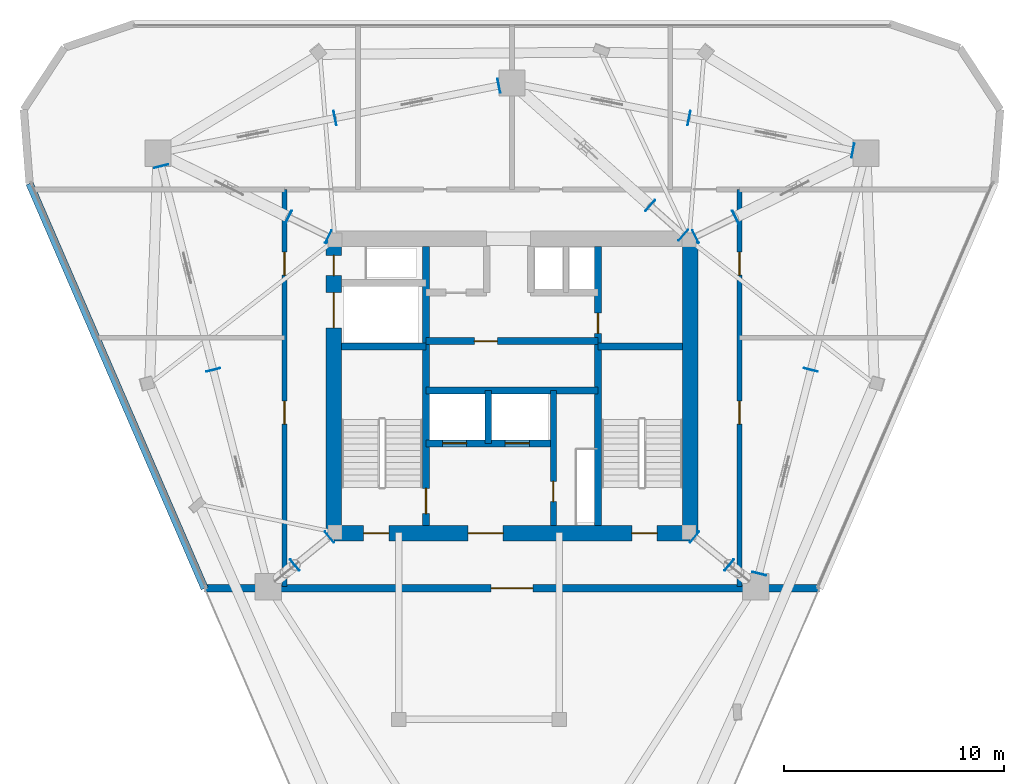
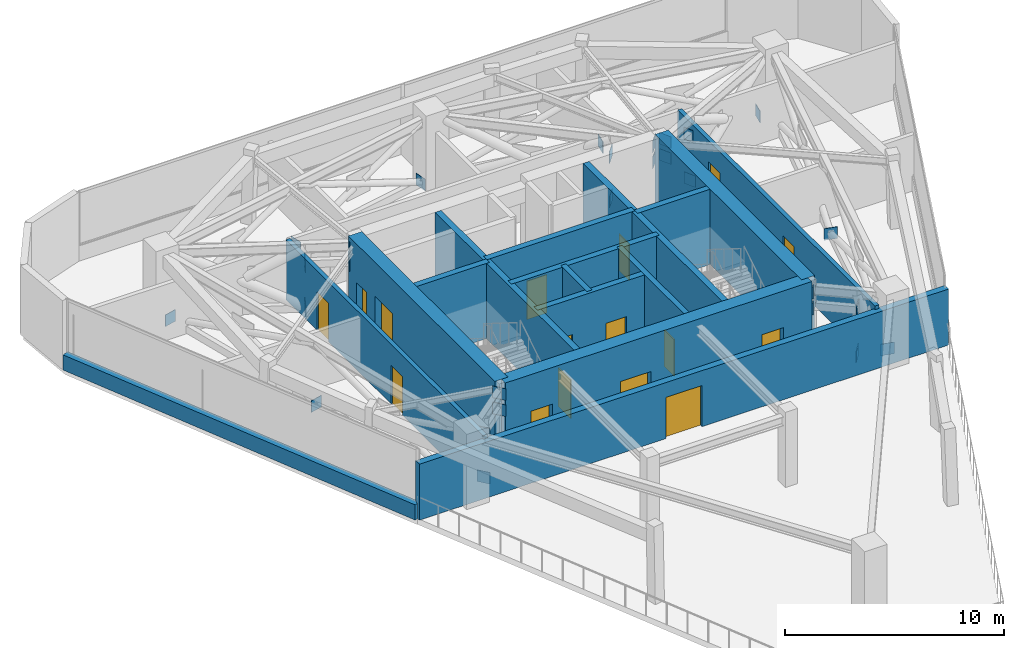
# One storey, part 7 of 10: 28 plates, 16 doors, 16 walls, 16 openings.
"""IFC4 building model written with IfcOpenShell, lengths in metres."""

from ifc_helpers import new_model, si_unit, direction, frame, frame_2d, origin, origin_2d, place, context, subcontext, project, spatial, rectangle, extrude, material, layer, layer_set, type_object, element, fill, save


model = new_model("IFC4")

# Units and contexts
model_context = context("Model", 3, precision=1e-05, world=origin(), true_north=direction((0.0, 1.0)))
body_context = subcontext(model_context, "Body", "Model", "MODEL_VIEW")
ifc_project = project(units=[si_unit("LENGTHUNIT", "METRE"), si_unit("AREAUNIT", "SQUARE_METRE"), si_unit("VOLUMEUNIT", "CUBIC_METRE"), si_unit("PLANEANGLEUNIT", "RADIAN"), si_unit("MASSUNIT", "GRAM", prefix="KILO")], contexts=[model_context])

# Site, building, storey
site_placement = place(None, origin())
site = spatial("IfcSite", under=ifc_project, at=site_placement, CompositionType="ELEMENT")
building_placement = place(site_placement, origin())
building = spatial("IfcBuilding", under=site, at=building_placement, Name="Talyreon Biosciences Tower", CompositionType="ELEMENT")
storey_placement = place(building_placement, frame((0.0, 0.0, 275.39990234375)))
storey = spatial("IfcBuildingStorey", under=building, at=storey_placement, Name="L73", CompositionType="ELEMENT", Elevation=275.39990234375)

# Plates
ifc_material_1 = material(Name="Steel SM355", Category="steel")
ifc_layer_1 = layer(ifc_material_1, 0.028076171875)
ifc_layer_set_1 = layer_set([ifc_layer_1], Name="Steel SM355")
plate_type = type_object("IfcPlateType", Name="HollowEndCapPlate_28", PredefinedType="SHEET", material=ifc_layer_set_1)
for number, where, z_axis, x_axis, name in (
    (1, (74.309814453125, 61.138671875, 3.275146484375), (0.0, 0.0, 1.0), (0.631000821652, 0.775782162127, 0.0), "Truss node plate NP-L73-OC-2"),
    (2, (74.309814453125, 61.138671875, 2.375244140625), (0.0, 0.0, 1.0), (0.631000821652, 0.775782162127, 0.0), "Truss node plate NP-L73-OCM0-2"),
    (3, (75.884033203125, 59.8583984375, 2.375244140625), (0.0, 0.0, 1.0), (0.631000821652, 0.775782162127, 0.0), "Truss node plate NP-L73-OCM1-2"),
    (4, (75.873046875, 59.8671875, -0.0849609375), (0.0, 0.0, 1.0), (0.630987281602, 0.775793175051, 0.0), "Truss node plate NP-OUT-L73-R2-E"),
    (5, (74.350830078125, 74.797607421875, 3.275146484375), (0.0, 0.0, 1.0), (-0.440283955252, 0.89785858505, 0.0), "Truss node plate NP-L73-OC-3"),
    (6, (74.350830078125, 74.797607421875, 2.375244140625), (0.0, 0.0, 1.0), (-0.440283955252, 0.89785858505, 0.0), "Truss node plate NP-L73-OCM0-3"),
    (7, (76.172607421875, 75.69091796875, 2.375244140625), (0.0, 0.0, 1.0), (-0.440283955252, 0.89785858505, 0.0), "Truss node plate NP-L73-OCM1-3"),
    (8, (76.159912109375, 75.684814453125, -0.0849609375), (0.0, 0.0, 1.0), (-0.440283955252, 0.89785858505, 0.0), "Truss node plate NP-OUT-L73-R3-E"),
    (9, (73.79931640625, 74.872314453125, 3.275146484375), (0.0, 0.0, 1.0), (-0.663495401773, -0.748180360492, 0.0), "Truss node plate NP-L73-OC-4"),
    (10, (73.79931640625, 74.872314453125, 2.375244140625), (0.0, 0.0, 1.0), (-0.663495401773, -0.748180360492, 0.0), "Truss node plate NP-L73-OCM0-4"),
    (11, (72.28125, 76.218505859375, 2.375244140625), (0.0, 0.0, 1.0), (-0.663495401773, -0.748180360492, 0.0), "Truss node plate NP-L73-OCM1-4"),
    (12, (72.291748046875, 76.209228515625, -0.0849609375), (0.0, 0.0, 1.0), (-0.663508459883, -0.748168780198, 0.0), "Truss node plate NP-OUT-L73-R4-E"),
    (13, (57.649169921875, 74.797607421875, 3.275146484375), (0.0, 0.0, 1.0), (-0.440283955252, -0.89785858505, 0.0), "Truss node plate NP-L73-OC-5"),
    (14, (57.649169921875, 74.797607421875, 2.375244140625), (0.0, 0.0, 1.0), (-0.440283955252, -0.89785858505, 0.0), "Truss node plate NP-L73-OCM0-5"),
    (15, (55.827392578125, 75.69091796875, 2.375244140625), (0.0, 0.0, 1.0), (-0.440283955252, -0.89785858505, 0.0), "Truss node plate NP-L73-OCM1-5"),
    (16, (55.840087890625, 75.684814453125, -0.0849609375), (0.0, 0.0, 1.0), (-0.440283955252, -0.89785858505, 0.0), "Truss node plate NP-OUT-L73-R5-E"),
    (17, (57.690185546875, 61.138671875, 3.275146484375), (0.0, 0.0, 1.0), (0.631000821652, -0.775782162127, 0.0), "Truss node plate NP-L73-OC-6"),
    (18, (57.690185546875, 61.138671875, 2.375244140625), (0.0, 0.0, 1.0), (0.631000821652, -0.775782162127, 0.0), "Truss node plate NP-L73-OCM0-6"),
    (19, (56.115966796875, 59.8583984375, 2.375244140625), (0.0, 0.0, 1.0), (0.631000821652, -0.775782162127, 0.0), "Truss node plate NP-L73-OCM1-6"),
    (20, (56.126953125, 59.8671875, -0.0849609375), (0.0, 0.0, 1.0), (0.630987281602, -0.775793175051, 0.0), "Truss node plate NP-OUT-L73-R6-E"),
    (21, (77.236572265625, 59.4716796875, -0.0849609375), (0.0, 0.0, 1.0), (-0.969132019352, 0.246542347409, 0.0), "Truss node plate NP-BELT-L73-B2S1-E"),
    (22, (79.59423828125, 68.739501953125, -0.0849609375), (0.0, 0.0, 1.0), (-0.969132019352, 0.246542347409, 0.0), "Truss node plate NP-BELT-L73-B2S2-E"),
    (23, (81.50390625, 78.71728515625, -0.0849609375), (0.0, 0.0, 1.0), (-0.194354196051, -0.980931417826, 0.0), "Truss node plate NP-BELT-L73-B3S1-E"),
    (24, (74.05126953125, 80.19384765625, -0.0849609375), (0.0, 0.0, 1.0), (-0.194354196051, -0.980931417826, 0.0), "Truss node plate NP-BELT-L73-B3S2-E"),
    (25, (65.401611328125, 81.67041015625, -0.0849609375), (0.0, 0.0, 1.0), (0.194354196051, -0.980931417826, 0.0), "Truss node plate NP-BELT-L73-B4S1-E"),
    (26, (57.94873046875, 80.19384765625, -0.0849609375), (0.0, 0.0, 1.0), (0.194354196051, -0.980931417826, 0.0), "Truss node plate NP-BELT-L73-B4S2-E"),
    (27, (50.048095703125, 78.007568359375, -0.0849609375), (0.0, 0.0, 1.0), (0.969132019352, 0.246542347409, 0.0), "Truss node plate NP-BELT-L73-B5S1-E"),
    (28, (52.40576171875, 68.739501953125, -0.0849609375), (0.0, 0.0, 1.0), (0.969132019352, 0.246542347409, 0.0), "Truss node plate NP-BELT-L73-B5S2-E"),
):
    element("IfcPlate", number, at=place(storey_placement, frame(where, z_axis=z_axis, x_axis=x_axis)), inside=storey, type_object=plate_type, Name=name, PredefinedType="SHEET", context=body_context, shape_type="SweptSolid", body=[
        extrude(rectangle(XDim=0.64990234375, YDim=0.028076171875, at=origin_2d()), origin(), (0.0, 0.0, 1.0), 0.64990234375),
    ])

# Wall
ifc_material_2 = material(Name="Concrete C50/60", Category="concrete")
ifc_layer_2 = layer(ifc_material_2, 0.280029296875)
ifc_layer_set_2 = layer_set([ifc_layer_2], Name="Concrete C50/60")
wall_type_1 = type_object("IfcWallType", Name="CoreShearWall_280", PredefinedType="SHEAR", material=ifc_layer_set_2)
wall_1_placement = place(storey_placement, frame((64.919921875, 65.39990234375, 0.0), z_axis=(0.0, 0.0, 1.0), x_axis=(0.0, 1.0, 0.0)))
element("IfcWall", 29, at=wall_1_placement, inside=storey, type_object=wall_type_1, Name="L73 Core Shaft Wall SWSHD1", PredefinedType="SHEAR", context=body_context, shape_type="SweptSolid", body=[
    extrude(rectangle(XDim=2.400146484375, YDim=0.280029296875, at=frame_2d((1.2001953125, 0.0))), origin(), (0.0, 0.0, 1.0), 4.2001953125),
])

# Wall, opening, door
wall_2_placement = place(storey_placement, frame((67.8798828125, 61.64990234375, 0.0), z_axis=(0.0, 0.0, 1.0), x_axis=(0.0, 1.0, 0.0)))
wall_2 = element("IfcWall", 30, at=wall_2_placement, inside=storey, type_object=wall_type_1, Name="L73 Core Shaft Wall SWFFE", PredefinedType="SHEAR", context=body_context, shape_type="SweptSolid", body=[
    extrude(rectangle(XDim=6.150146484375, YDim=0.280029296875, at=frame_2d((3.0751953125, 0.0))), origin(), (0.0, 0.0, 1.0), 4.2001953125),
])
opening_1_placement = place(wall_2_placement, frame((1.10009765625, 0.0, 0.0)))
opening_1 = element("IfcOpeningElement", 31, at=opening_1_placement, cuts=wall_2, Name="Opening DR-L73-RSE", PredefinedType="OPENING", context=body_context, shape_type="SweptSolid", body=[
    extrude(rectangle(XDim=0.919921875, YDim=2.050048828125, at=frame_2d((0.4599609375, 1.02490234375))), frame((0.0, 0.14990234375, 0.0), z_axis=(0.0, -1.0, 0.0), x_axis=(1.0, 0.0, 0.0)), (0.0, 0.0, 1.0), 0.300048828125),
])
ifc_material_3 = material(Name="Painted steel fire-rated riser door", Category="steel")
door_type_1 = type_object("IfcDoorType", Name="RiserPlantAccessDoor_920x2050", OperationType="NOTDEFINED", PredefinedType="DOOR", material=ifc_material_3)
door_1_placement = place(opening_1_placement, origin())
door_1 = element("IfcDoor", 32, at=door_1_placement, inside=storey, type_object=door_type_1, Name="L73 Core Door DR-L73-RSE", OperationType="SINGLE_SWING_RIGHT", OverallHeight=2.050048828125, OverallWidth=0.919921875, PredefinedType="DOOR", context=body_context, shape_type="SweptSolid", body=[
    extrude(rectangle(XDim=0.919921875, YDim=2.050048828125, at=frame_2d((0.4599609375, 1.02490234375))), frame((0.0, 0.02490234375, 0.0), z_axis=(0.0, -1.0, 0.0), x_axis=(1.0, 0.0, 0.0)), (0.0, 0.0, 1.0), 0.050048828125),
])
fill(opening_1, door_1)

ifc_layer_3 = layer(ifc_material_2, 0.320068359375)
ifc_layer_set_3 = layer_set([ifc_layer_3], Name="Concrete C50/60")
wall_type_2 = type_object("IfcWallType", Name="CoreShearWall_320", PredefinedType="SHEAR", material=ifc_layer_set_3)
wall_3_placement = place(storey_placement, frame((62.090087890625, 61.64990234375, 0.0), z_axis=(0.0, 0.0, 1.0), x_axis=(0.0, 1.0, 0.0)))
wall_3 = element("IfcWall", 33, at=wall_3_placement, inside=storey, type_object=wall_type_2, Name="L73 Core Shaft Wall SW1E", PredefinedType="SHEAR", context=body_context, shape_type="SweptSolid", body=[
    extrude(rectangle(XDim=12.7001953125, YDim=0.320068359375, at=frame_2d((6.35009765625, 0.0))), origin(), (0.0, 0.0, 1.0), 4.2001953125),
])
opening_2_placement = place(wall_3_placement, frame((0.550048828125, 0.0, 0.0)))
opening_2 = element("IfcOpeningElement", 34, at=opening_2_placement, cuts=wall_3, Name="Opening DR-L73-FF-ST1", PredefinedType="OPENING", context=body_context, shape_type="SweptSolid", body=[
    extrude(rectangle(XDim=1.14990234375, YDim=2.14990234375, at=frame_2d((0.574951171875, 1.074951171875))), frame((0.0, 0.169921875, 0.0), z_axis=(0.0, -1.0, 0.0), x_axis=(1.0, 0.0, 0.0)), (0.0, 0.0, 1.0), 0.340087890625),
])
ifc_material_4 = material(Name="Painted steel fire door", Category="steel")
door_type_2 = type_object("IfcDoorType", Name="StairShaftFireDoor_1150x2150", OperationType="NOTDEFINED", PredefinedType="DOOR", material=ifc_material_4)
door_2_placement = place(opening_2_placement, origin())
door_2 = element("IfcDoor", 35, at=door_2_placement, inside=storey, type_object=door_type_2, Name="L73 Core Door DR-L73-FF-ST1", OperationType="SINGLE_SWING_LEFT", OverallHeight=2.14990234375, OverallWidth=1.14990234375, PredefinedType="DOOR", context=body_context, shape_type="SweptSolid", body=[
    extrude(rectangle(XDim=1.14990234375, YDim=2.14990234375, at=frame_2d((0.574951171875, 1.074951171875))), frame((0.0, 0.02490234375, 0.0), z_axis=(0.0, -1.0, 0.0), x_axis=(1.0, 0.0, 0.0)), (0.0, 0.0, 1.0), 0.050048828125),
])
fill(opening_2, door_2)

wall_4_placement = place(storey_placement, frame((69.909912109375, 61.64990234375, 0.0), z_axis=(0.0, 0.0, 1.0), x_axis=(0.0, 1.0, 0.0)))
wall_4 = element("IfcWall", 36, at=wall_4_placement, inside=storey, type_object=wall_type_2, Name="L73 Core Shaft Wall SW2W", PredefinedType="SHEAR", context=body_context, shape_type="SweptSolid", body=[
    extrude(rectangle(XDim=12.7001953125, YDim=0.320068359375, at=frame_2d((6.35009765625, 0.0))), origin(), (0.0, 0.0, 1.0), 4.2001953125),
])
opening_3_placement = place(wall_4_placement, frame((8.75, 0.0, 0.0)))
opening_3 = element("IfcOpeningElement", 37, at=opening_3_placement, cuts=wall_4, Name="Opening DR-L73-CSRV", PredefinedType="OPENING", context=body_context, shape_type="SweptSolid", body=[
    extrude(rectangle(XDim=0.919921875, YDim=2.050048828125, at=frame_2d((0.4599609375, 1.02490234375))), frame((0.0, 0.169921875, 0.0), z_axis=(0.0, -1.0, 0.0), x_axis=(1.0, 0.0, 0.0)), (0.0, 0.0, 1.0), 0.340087890625),
])
door_3_placement = place(opening_3_placement, origin())
door_3 = element("IfcDoor", 38, at=door_3_placement, inside=storey, type_object=door_type_1, Name="L73 Core Door DR-L73-CSRV", OperationType="SINGLE_SWING_RIGHT", OverallHeight=2.050048828125, OverallWidth=0.919921875, PredefinedType="DOOR", context=body_context, shape_type="SweptSolid", body=[
    extrude(rectangle(XDim=0.919921875, YDim=2.050048828125, at=frame_2d((0.4599609375, 1.02490234375))), frame((0.0, 0.02490234375, 0.0), z_axis=(0.0, -1.0, 0.0), x_axis=(1.0, 0.0, 0.0)), (0.0, 0.0, 1.0), 0.050048828125),
])
fill(opening_3, door_3)

# Walls
for number, where, z_axis, x_axis, name in (
    (39, (58.25, 69.81005859375, 0.0), (0.0, 0.0, 1.0), (1.0, 0.0, 0.0), "L73 Core Shaft Wall SW1N"),
    (40, (69.909912109375, 69.81005859375, 0.0), (0.0, 0.0, 1.0), (1.0, 0.0, 0.0), "L73 Core Shaft Wall SW2N"),
):
    element("IfcWall", number, at=place(storey_placement, frame(where, z_axis=z_axis, x_axis=x_axis)), inside=storey, type_object=wall_type_2, Name=name, PredefinedType="SHEAR", context=body_context, shape_type="SweptSolid", body=[
        extrude(rectangle(XDim=3.840087890625, YDim=0.320068359375, at=frame_2d((1.919921875, 0.0))), origin(), (0.0, 0.0, 1.0), 4.2001953125),
    ])
wall_5_placement = place(storey_placement, frame((62.090087890625, 67.800048828125, 0.0), z_axis=(0.0, 0.0, 1.0), x_axis=(1.0, 0.0, 0.0)))
element("IfcWall", 41, at=wall_5_placement, inside=storey, type_object=wall_type_2, Name="L73 Core Shaft Wall SWSHM", PredefinedType="SHEAR", context=body_context, shape_type="SweptSolid", body=[
    extrude(rectangle(XDim=7.81982421875, YDim=0.320068359375, at=frame_2d((3.909912109375, 0.0))), origin(), (0.0, 0.0, 1.0), 4.2001953125),
])

# Wall, opening, door
wall_6_placement = place(storey_placement, frame((62.090087890625, 70.050048828125, 0.0), z_axis=(0.0, 0.0, 1.0), x_axis=(1.0, 0.0, 0.0)))
wall_6 = element("IfcWall", 42, at=wall_6_placement, inside=storey, type_object=wall_type_2, Name="L73 Core Shaft Wall SWSPN", PredefinedType="SHEAR", context=body_context, shape_type="SweptSolid", body=[
    extrude(rectangle(XDim=7.81982421875, YDim=0.320068359375, at=frame_2d((3.909912109375, 0.0))), origin(), (0.0, 0.0, 1.0), 4.2001953125),
])
opening_4_placement = place(wall_6_placement, frame((2.199951171875, 0.0, 0.0)))
opening_4 = element("IfcOpeningElement", 43, at=opening_4_placement, cuts=wall_6, Name="Opening DR-L73-PLPMFREE", PredefinedType="OPENING", context=body_context, shape_type="SweptSolid", body=[
    extrude(rectangle(XDim=1.050048828125, YDim=2.14990234375, at=frame_2d((0.52490234375, 1.074951171875))), frame((0.0, 0.169921875, 0.0), z_axis=(0.0, -1.0, 0.0), x_axis=(1.0, 0.0, 0.0)), (0.0, 0.0, 1.0), 0.340087890625),
])
ifc_material_5 = material(Name="Acoustic timber-core laboratory door", Category="wood")
door_type_3 = type_object("IfcDoorType", Name="DryLabSingleDoor_1050x2150", OperationType="NOTDEFINED", PredefinedType="DOOR", material=ifc_material_5)
door_4_placement = place(opening_4_placement, origin())
door_4 = element("IfcDoor", 44, at=door_4_placement, inside=storey, type_object=door_type_3, Name="L73 Core Door DR-L73-PLPMFREE", OperationType="SINGLE_SWING_LEFT", OverallHeight=2.14990234375, OverallWidth=1.050048828125, PredefinedType="DOOR", context=body_context, shape_type="SweptSolid", body=[
    extrude(rectangle(XDim=1.050048828125, YDim=2.14990234375, at=frame_2d((0.52490234375, 1.074951171875))), frame((0.0, 0.02490234375, 0.0), z_axis=(0.0, -1.0, 0.0), x_axis=(1.0, 0.0, 0.0)), (0.0, 0.0, 1.0), 0.050048828125),
])
fill(opening_4, door_4)

# Wall, openings, doors
wall_7_placement = place(storey_placement, frame((62.090087890625, 65.39990234375, 0.0), z_axis=(0.0, 0.0, 1.0), x_axis=(1.0, 0.0, 0.0)))
wall_7 = element("IfcWall", 45, at=wall_7_placement, inside=storey, type_object=wall_type_2, Name="L73 Core Shaft Wall SWFFN", PredefinedType="SHEAR", context=body_context, shape_type="SweptSolid", body=[
    extrude(rectangle(XDim=5.789794921875, YDim=0.320068359375, at=frame_2d((2.89501953125, 0.0))), origin(), (0.0, 0.0, 1.0), 4.2001953125),
])
opening_5_placement = place(wall_7_placement, frame((0.75, 0.0, 0.0)))
opening_5 = element("IfcOpeningElement", 46, at=opening_5_placement, cuts=wall_7, Name="Opening LD-L73-FL1", PredefinedType="OPENING", context=body_context, shape_type="SweptSolid", body=[
    extrude(rectangle(XDim=1.10009765625, YDim=2.199951171875, at=frame_2d((0.550048828125, 1.10009765625))), frame((0.0, 0.169921875, 0.0), z_axis=(0.0, -1.0, 0.0), x_axis=(1.0, 0.0, 0.0)), (0.0, 0.0, 1.0), 0.340087890625),
])
opening_6_placement = place(wall_7_placement, frame((3.60009765625, 0.0, 0.0)))
opening_6 = element("IfcOpeningElement", 47, at=opening_6_placement, cuts=wall_7, Name="Opening LD-L73-FL2", PredefinedType="OPENING", context=body_context, shape_type="SweptSolid", body=[
    extrude(rectangle(XDim=1.10009765625, YDim=2.199951171875, at=frame_2d((0.550048828125, 1.10009765625))), frame((0.0, 0.169921875, 0.0), z_axis=(0.0, -1.0, 0.0), x_axis=(1.0, 0.0, 0.0)), (0.0, 0.0, 1.0), 0.340087890625),
])
ifc_material_6 = material(Name="Brushed stainless-steel lift landing door", Category="steel")
door_type_4 = type_object("IfcDoorType", Name="LiftSlidingLandingDoor_1100x2200", OperationType="SLIDING_TO_LEFT", PredefinedType="DOOR", material=ifc_material_6)
door_5_placement = place(opening_5_placement, origin())
door_5 = element("IfcDoor", 48, at=door_5_placement, inside=storey, type_object=door_type_4, Name="L73 Core Door LD-L73-FL1", OperationType="SLIDING_TO_LEFT", OverallHeight=2.199951171875, OverallWidth=1.10009765625, PredefinedType="DOOR", context=body_context, shape_type="SweptSolid", body=[
    extrude(rectangle(XDim=1.10009765625, YDim=2.199951171875, at=frame_2d((0.550048828125, 1.10009765625))), frame((0.0, 0.02490234375, 0.0), z_axis=(0.0, -1.0, 0.0), x_axis=(1.0, 0.0, 0.0)), (0.0, 0.0, 1.0), 0.050048828125),
])
fill(opening_5, door_5)
door_6_placement = place(opening_6_placement, origin())
door_6 = element("IfcDoor", 49, at=door_6_placement, inside=storey, type_object=door_type_4, Name="L73 Core Door LD-L73-FL2", OperationType="SLIDING_TO_LEFT", OverallHeight=2.199951171875, OverallWidth=1.10009765625, PredefinedType="DOOR", context=body_context, shape_type="SweptSolid", body=[
    extrude(rectangle(XDim=1.10009765625, YDim=2.199951171875, at=frame_2d((0.550048828125, 1.10009765625))), frame((0.0, 0.02490234375, 0.0), z_axis=(0.0, -1.0, 0.0), x_axis=(1.0, 0.0, 0.0)), (0.0, 0.0, 1.0), 0.050048828125),
])
fill(opening_6, door_6)

ifc_layer_4 = layer(ifc_material_2, 0.699951171875)
ifc_layer_set_4 = layer_set([ifc_layer_4], Name="Concrete C50/60")
wall_type_3 = type_object("IfcWallType", Name="CoreShearWall_700", PredefinedType="SHEAR", material=ifc_layer_set_4)
wall_8_placement = place(storey_placement, frame((57.89990234375, 61.300048828125, 0.0), z_axis=(0.0, 0.0, 1.0), x_axis=(1.0, 0.0, 0.0)))
wall_8 = element("IfcWall", 50, at=wall_8_placement, inside=storey, type_object=wall_type_3, Name="L73 Core Shear Wall S", PredefinedType="SHEAR", context=body_context, shape_type="SweptSolid", body=[
    extrude(rectangle(XDim=16.2001953125, YDim=0.699951171875, at=frame_2d((8.10009765625, 0.0))), origin(), (0.0, 0.0, 1.0), 4.2001953125),
])
opening_7_placement = place(wall_8_placement, frame((1.35009765625, 0.0, 0.0)))
opening_7 = element("IfcOpeningElement", 51, at=opening_7_placement, cuts=wall_8, Name="Opening DR-L73-ST1", PredefinedType="OPENING", context=body_context, shape_type="SweptSolid", body=[
    extrude(rectangle(XDim=1.14990234375, YDim=2.14990234375, at=frame_2d((0.574951171875, 1.074951171875))), frame((0.0, 0.35986328125, 0.0), z_axis=(0.0, -1.0, 0.0), x_axis=(1.0, 0.0, 0.0)), (0.0, 0.0, 1.0), 0.719970703125),
])
opening_8_placement = place(wall_8_placement, frame((6.10009765625, 0.0, 0.0)))
opening_8 = element("IfcOpeningElement", 52, at=opening_8_placement, cuts=wall_8, Name="Opening DR-L73-FFL", PredefinedType="OPENING", context=body_context, shape_type="SweptSolid", body=[
    extrude(rectangle(XDim=1.60009765625, YDim=2.14990234375, at=frame_2d((0.800048828125, 1.074951171875))), frame((0.0, 0.35986328125, 0.0), z_axis=(0.0, -1.0, 0.0), x_axis=(1.0, 0.0, 0.0)), (0.0, 0.0, 1.0), 0.719970703125),
])
opening_9_placement = place(wall_8_placement, frame((13.550048828125, 0.0, 0.0)))
opening_9 = element("IfcOpeningElement", 53, at=opening_9_placement, cuts=wall_8, Name="Opening DR-L73-ST2", PredefinedType="OPENING", context=body_context, shape_type="SweptSolid", body=[
    extrude(rectangle(XDim=1.14990234375, YDim=2.14990234375, at=frame_2d((0.574951171875, 1.074951171875))), frame((0.0, 0.35986328125, 0.0), z_axis=(0.0, -1.0, 0.0), x_axis=(1.0, 0.0, 0.0)), (0.0, 0.0, 1.0), 0.719970703125),
])
ifc_material_7 = material(Name="Painted steel smoke-seal fire door", Category="steel")
door_type_5 = type_object("IfcDoorType", Name="FirefightingLobbyDoubleDoor_1600x2150", OperationType="DOUBLE_DOOR_SINGLE_SWING", PredefinedType="DOOR", material=ifc_material_7)
door_7_placement = place(opening_8_placement, origin())
door_7 = element("IfcDoor", 54, at=door_7_placement, inside=storey, type_object=door_type_5, Name="L73 Core Door DR-L73-FFL", OperationType="DOUBLE_DOOR_SINGLE_SWING", OverallHeight=2.14990234375, OverallWidth=1.60009765625, PredefinedType="DOOR", context=body_context, shape_type="SweptSolid", body=[
    extrude(rectangle(XDim=1.60009765625, YDim=2.14990234375, at=frame_2d((0.800048828125, 1.074951171875))), frame((0.0, 0.02490234375, 0.0), z_axis=(0.0, -1.0, 0.0), x_axis=(1.0, 0.0, 0.0)), (0.0, 0.0, 1.0), 0.050048828125),
])
fill(opening_8, door_7)
door_8_placement = place(opening_7_placement, origin())
door_8 = element("IfcDoor", 55, at=door_8_placement, inside=storey, type_object=door_type_2, Name="L73 Core Door DR-L73-ST1", OperationType="SINGLE_SWING_LEFT", OverallHeight=2.14990234375, OverallWidth=1.14990234375, PredefinedType="DOOR", context=body_context, shape_type="SweptSolid", body=[
    extrude(rectangle(XDim=1.14990234375, YDim=2.14990234375, at=frame_2d((0.574951171875, 1.074951171875))), frame((0.0, 0.02490234375, 0.0), z_axis=(0.0, -1.0, 0.0), x_axis=(1.0, 0.0, 0.0)), (0.0, 0.0, 1.0), 0.050048828125),
])
fill(opening_7, door_8)
door_9_placement = place(opening_9_placement, origin())
door_9 = element("IfcDoor", 56, at=door_9_placement, inside=storey, type_object=door_type_2, Name="L73 Core Door DR-L73-ST2", OperationType="SINGLE_SWING_RIGHT", OverallHeight=2.14990234375, OverallWidth=1.14990234375, PredefinedType="DOOR", context=body_context, shape_type="SweptSolid", body=[
    extrude(rectangle(XDim=1.14990234375, YDim=2.14990234375, at=frame_2d((0.574951171875, 1.074951171875))), frame((0.0, 0.02490234375, 0.0), z_axis=(0.0, -1.0, 0.0), x_axis=(1.0, 0.0, 0.0)), (0.0, 0.0, 1.0), 0.050048828125),
])
fill(opening_9, door_9)

# Wall
wall_9_placement = place(storey_placement, frame((74.10009765625, 61.300048828125, 0.0), z_axis=(0.0, 0.0, 1.0), x_axis=(0.0, 1.0, 0.0)))
element("IfcWall", 57, at=wall_9_placement, inside=storey, type_object=wall_type_3, Name="L73 Core Shear Wall E", PredefinedType="SHEAR", context=body_context, shape_type="SweptSolid", body=[
    extrude(rectangle(XDim=13.39990234375, YDim=0.699951171875, at=frame_2d((6.699951171875, 0.0))), origin(), (0.0, 0.0, 1.0), 4.2001953125),
])

# Wall, openings, doors
wall_10_placement = place(storey_placement, frame((57.89990234375, 74.699951171875, 0.0), z_axis=(0.0, 0.0, 1.0), x_axis=(0.0, -1.0, 0.0)))
wall_10 = element("IfcWall", 58, at=wall_10_placement, inside=storey, type_object=wall_type_3, Name="L73 Core Shear Wall W", PredefinedType="SHEAR", context=body_context, shape_type="SweptSolid", body=[
    extrude(rectangle(XDim=13.39990234375, YDim=0.699951171875, at=frame_2d((6.699951171875, 0.0))), origin(), (0.0, 0.0, 1.0), 4.2001953125),
])
opening_10_placement = place(wall_10_placement, frame((0.75, 0.0, 0.0)))
opening_10 = element("IfcOpeningElement", 59, at=opening_10_placement, cuts=wall_10, Name="Opening DR-L73-RSW", PredefinedType="OPENING", context=body_context, shape_type="SweptSolid", body=[
    extrude(rectangle(XDim=0.919921875, YDim=2.050048828125, at=frame_2d((0.4599609375, 1.02490234375))), frame((0.0, 0.35986328125, 0.0), z_axis=(0.0, -1.0, 0.0), x_axis=(1.0, 0.0, 0.0)), (0.0, 0.0, 1.0), 0.719970703125),
])
opening_11_placement = place(wall_10_placement, frame((2.449951171875, 0.0, 0.0)))
opening_11 = element("IfcOpeningElement", 60, at=opening_11_placement, cuts=wall_10, Name="Opening LD-L73-GL1", PredefinedType="OPENING", context=body_context, shape_type="SweptSolid", body=[
    extrude(rectangle(XDim=1.60009765625, YDim=2.300048828125, at=frame_2d((0.800048828125, 1.14990234375))), frame((0.0, 0.35986328125, 0.0), z_axis=(0.0, -1.0, 0.0), x_axis=(1.0, 0.0, 0.0)), (0.0, 0.0, 1.0), 0.719970703125),
])
ifc_material_8 = material(Name="Heavy-duty stainless-steel goods lift door", Category="steel")
door_type_6 = type_object("IfcDoorType", Name="GoodsLiftSlidingDoor_1600x2300", OperationType="DOUBLE_DOOR_SLIDING", PredefinedType="DOOR", material=ifc_material_8)
door_10_placement = place(opening_11_placement, origin())
door_10 = element("IfcDoor", 61, at=door_10_placement, inside=storey, type_object=door_type_6, Name="L73 Core Door LD-L73-GL1", OperationType="DOUBLE_DOOR_SLIDING", OverallHeight=2.300048828125, OverallWidth=1.60009765625, PredefinedType="DOOR", context=body_context, shape_type="SweptSolid", body=[
    extrude(rectangle(XDim=1.60009765625, YDim=2.300048828125, at=frame_2d((0.800048828125, 1.14990234375))), frame((0.0, 0.02490234375, 0.0), z_axis=(0.0, -1.0, 0.0), x_axis=(1.0, 0.0, 0.0)), (0.0, 0.0, 1.0), 0.050048828125),
])
fill(opening_11, door_10)
door_11_placement = place(opening_10_placement, origin())
door_11 = element("IfcDoor", 62, at=door_11_placement, inside=storey, type_object=door_type_1, Name="L73 Core Door DR-L73-RSW", OperationType="SINGLE_SWING_LEFT", OverallHeight=2.050048828125, OverallWidth=0.919921875, PredefinedType="DOOR", context=body_context, shape_type="SweptSolid", body=[
    extrude(rectangle(XDim=0.919921875, YDim=2.050048828125, at=frame_2d((0.4599609375, 1.02490234375))), frame((0.0, 0.02490234375, 0.0), z_axis=(0.0, -1.0, 0.0), x_axis=(1.0, 0.0, 0.0)), (0.0, 0.0, 1.0), 0.050048828125),
])
fill(opening_10, door_11)

ifc_material_9 = material(Name="Gypsum fireboard acoustic stud", Category="gypsum")
ifc_layer_5 = layer(ifc_material_9, 0.219970703125)
ifc_layer_set_5 = layer_set([ifc_layer_5], Name="Gypsum fireboard acoustic stud")
wall_type_4 = type_object("IfcWallType", Name="CorridorRatedPartition_220", PredefinedType="PARTITIONING", material=ifc_layer_set_5)
wall_11_placement = place(storey_placement, frame((76.35009765625, 58.885009765625, 0.0), z_axis=(0.0, 0.0, 1.0), x_axis=(0.0, 1.0, 0.0)))
wall_11 = element("IfcWall", 63, at=wall_11_placement, inside=storey, type_object=wall_type_4, Name="L73 Interior Wall IW-L73-PC-E", PredefinedType="PARTITIONING", context=body_context, shape_type="SweptSolid", body=[
    extrude(rectangle(XDim=18.06494140625, YDim=0.219970703125, at=frame_2d((9.032470703125, 0.0))), origin(), (0.0, 0.0, 1.0), 3.330078125),
])
opening_12_placement = place(wall_11_placement, frame((7.388916015625, 0.0, 0.0)))
opening_12 = element("IfcOpeningElement", 64, at=opening_12_placement, cuts=wall_11, Name="Opening DR-L73-PL-EB", PredefinedType="OPENING", context=body_context, shape_type="SweptSolid", body=[
    extrude(rectangle(XDim=1.050048828125, YDim=2.14990234375, at=frame_2d((0.52490234375, 1.074951171875))), frame((0.0, 0.119873046875, 0.0), z_axis=(0.0, -1.0, 0.0), x_axis=(1.0, 0.0, 0.0)), (0.0, 0.0, 1.0), 0.239990234375),
])
opening_13_placement = place(wall_11_placement, frame((14.1650390625, 0.0, 0.0)))
opening_13 = element("IfcOpeningElement", 65, at=opening_13_placement, cuts=wall_11, Name="Opening DR-L73-PL-EA", PredefinedType="OPENING", context=body_context, shape_type="SweptSolid", body=[
    extrude(rectangle(XDim=1.050048828125, YDim=2.14990234375, at=frame_2d((0.52490234375, 1.074951171875))), frame((0.0, 0.119873046875, 0.0), z_axis=(0.0, -1.0, 0.0), x_axis=(1.0, 0.0, 0.0)), (0.0, 0.0, 1.0), 0.239990234375),
])
door_12_placement = place(opening_12_placement, origin())
door_12 = element("IfcDoor", 66, at=door_12_placement, inside=storey, type_object=door_type_3, Name="L73 Interior Door DR-L73-PL-EB", OperationType="SINGLE_SWING_LEFT", OverallHeight=2.14990234375, OverallWidth=1.050048828125, PredefinedType="DOOR", context=body_context, shape_type="SweptSolid", body=[
    extrude(rectangle(XDim=1.050048828125, YDim=2.14990234375, at=frame_2d((0.52490234375, 1.074951171875))), frame((0.0, 0.02490234375, 0.0), z_axis=(0.0, -1.0, 0.0), x_axis=(1.0, 0.0, 0.0)), (0.0, 0.0, 1.0), 0.050048828125),
])
fill(opening_12, door_12)
door_13_placement = place(opening_13_placement, origin())
door_13 = element("IfcDoor", 67, at=door_13_placement, inside=storey, type_object=door_type_3, Name="L73 Interior Door DR-L73-PL-EA", OperationType="SINGLE_SWING_LEFT", OverallHeight=2.14990234375, OverallWidth=1.050048828125, PredefinedType="DOOR", context=body_context, shape_type="SweptSolid", body=[
    extrude(rectangle(XDim=1.050048828125, YDim=2.14990234375, at=frame_2d((0.52490234375, 1.074951171875))), frame((0.0, 0.02490234375, 0.0), z_axis=(0.0, -1.0, 0.0), x_axis=(1.0, 0.0, 0.0)), (0.0, 0.0, 1.0), 0.050048828125),
])
fill(opening_13, door_13)

wall_12_placement = place(storey_placement, frame((55.64990234375, 58.885009765625, 0.0), z_axis=(0.0, 0.0, 1.0), x_axis=(0.0, 1.0, 0.0)))
wall_12 = element("IfcWall", 68, at=wall_12_placement, inside=storey, type_object=wall_type_4, Name="L73 Interior Wall IW-L73-PC-W", PredefinedType="PARTITIONING", context=body_context, shape_type="SweptSolid", body=[
    extrude(rectangle(XDim=18.06494140625, YDim=0.219970703125, at=frame_2d((9.032470703125, 0.0))), origin(), (0.0, 0.0, 1.0), 3.330078125),
])
opening_14_placement = place(wall_12_placement, frame((7.388916015625, 0.0, 0.0)))
opening_14 = element("IfcOpeningElement", 69, at=opening_14_placement, cuts=wall_12, Name="Opening DR-L73-PL-WB", PredefinedType="OPENING", context=body_context, shape_type="SweptSolid", body=[
    extrude(rectangle(XDim=1.050048828125, YDim=2.14990234375, at=frame_2d((0.52490234375, 1.074951171875))), frame((0.0, 0.119873046875, 0.0), z_axis=(0.0, -1.0, 0.0), x_axis=(1.0, 0.0, 0.0)), (0.0, 0.0, 1.0), 0.239990234375),
])
opening_15_placement = place(wall_12_placement, frame((14.1650390625, 0.0, 0.0)))
opening_15 = element("IfcOpeningElement", 70, at=opening_15_placement, cuts=wall_12, Name="Opening DR-L73-PL-WA", PredefinedType="OPENING", context=body_context, shape_type="SweptSolid", body=[
    extrude(rectangle(XDim=1.050048828125, YDim=2.14990234375, at=frame_2d((0.52490234375, 1.074951171875))), frame((0.0, 0.119873046875, 0.0), z_axis=(0.0, -1.0, 0.0), x_axis=(1.0, 0.0, 0.0)), (0.0, 0.0, 1.0), 0.239990234375),
])
door_14_placement = place(opening_14_placement, origin())
door_14 = element("IfcDoor", 71, at=door_14_placement, inside=storey, type_object=door_type_3, Name="L73 Interior Door DR-L73-PL-WB", OperationType="SINGLE_SWING_RIGHT", OverallHeight=2.14990234375, OverallWidth=1.050048828125, PredefinedType="DOOR", context=body_context, shape_type="SweptSolid", body=[
    extrude(rectangle(XDim=1.050048828125, YDim=2.14990234375, at=frame_2d((0.52490234375, 1.074951171875))), frame((0.0, 0.02490234375, 0.0), z_axis=(0.0, -1.0, 0.0), x_axis=(1.0, 0.0, 0.0)), (0.0, 0.0, 1.0), 0.050048828125),
])
fill(opening_14, door_14)
door_15_placement = place(opening_15_placement, origin())
door_15 = element("IfcDoor", 72, at=door_15_placement, inside=storey, type_object=door_type_3, Name="L73 Interior Door DR-L73-PL-WA", OperationType="SINGLE_SWING_RIGHT", OverallHeight=2.14990234375, OverallWidth=1.050048828125, PredefinedType="DOOR", context=body_context, shape_type="SweptSolid", body=[
    extrude(rectangle(XDim=1.050048828125, YDim=2.14990234375, at=frame_2d((0.52490234375, 1.074951171875))), frame((0.0, 0.02490234375, 0.0), z_axis=(0.0, -1.0, 0.0), x_axis=(1.0, 0.0, 0.0)), (0.0, 0.0, 1.0), 0.050048828125),
])
fill(opening_15, door_15)

# Wall, opening, door
ifc_material_10 = material(Name="Precast concrete C45/55", Category="concrete")
ifc_layer_6 = layer(ifc_material_10, 0.340087890625)
ifc_layer_set_6 = layer_set([ifc_layer_6], Name="Precast concrete C45/55")
wall_type_5 = type_object("IfcWallType", Name="PrecastConcreteSpandrelWall_340", PredefinedType="STANDARD", material=ifc_layer_set_6)
wall_13_placement = place(storey_placement, frame((79.98095703125, 58.800048828125, 0.0), z_axis=(0.0, 0.0, 1.0), x_axis=(-1.0, 0.0, 0.0)))
wall_13 = element("IfcWall", 73, at=wall_13_placement, inside=storey, type_object=wall_type_5, Name="L73 Terrace Backing Concrete Wall 08", PredefinedType="STANDARD", context=body_context, shape_type="SweptSolid", body=[
    extrude(rectangle(XDim=27.9619140625, YDim=0.340087890625, at=frame_2d((13.98095703125, 0.0))), origin(), (0.0, 0.0, 1.0), 3.130126953125),
])
opening_16_placement = place(wall_13_placement, frame((13.031005859375, 0.0, 0.0)))
opening_16 = element("IfcOpeningElement", 74, at=opening_16_placement, cuts=wall_13, Name="Opening D04", PredefinedType="OPENING", context=body_context, shape_type="SweptSolid", body=[
    extrude(rectangle(XDim=1.89990234375, YDim=2.300048828125, at=frame_2d((0.949951171875, 1.14990234375))), frame((0.0, 0.179931640625, 0.0), z_axis=(0.0, -1.0, 0.0), x_axis=(1.0, 0.0, 0.0)), (0.0, 0.0, 1.0), 0.360107421875),
])
ifc_material_11 = material(Name="Thermally broken low-E glazed terrace door", Category="aluminium")
door_type_7 = type_object("IfcDoorType", Name="SkyGardenTerraceDoubleDoor_1900x2300", OperationType="DOUBLE_DOOR_SINGLE_SWING", PredefinedType="DOOR", material=ifc_material_11)
door_16_placement = place(opening_16_placement, origin())
door_16 = element("IfcDoor", 75, at=door_16_placement, inside=storey, type_object=door_type_7, Name="L73 Outdoor Terrace Access Door 08", OperationType="DOUBLE_DOOR_SINGLE_SWING", OverallHeight=2.300048828125, OverallWidth=1.89990234375, PredefinedType="DOOR", context=body_context, shape_type="SweptSolid", body=[
    extrude(rectangle(XDim=1.89990234375, YDim=2.300048828125, at=frame_2d((0.949951171875, 1.14990234375))), frame((0.0, 0.02490234375, 0.0), z_axis=(0.0, -1.0, 0.0), x_axis=(1.0, 0.0, 0.0)), (0.0, 0.0, 1.0), 0.050048828125),
])
fill(opening_16, door_16)

# Wall
wall_14_placement = place(storey_placement, frame((52.01904296875, 58.800048828125, 0.0), z_axis=(0.0, 0.0, 1.0), x_axis=(-0.396894807868, 0.917864102952, 0.0)))
element("IfcWall", 76, at=wall_14_placement, inside=storey, type_object=wall_type_5, Name="L73 Expressed Concrete Sill Wall 09", PredefinedType="STANDARD", context=body_context, shape_type="SweptSolid", body=[
    extrude(rectangle(XDim=20.068603515625, YDim=0.340087890625, at=frame_2d((10.0341796875, 0.0))), origin(), (0.0, 0.0, 1.0), 0.85009765625),
])

save(model, "model.ifc")
